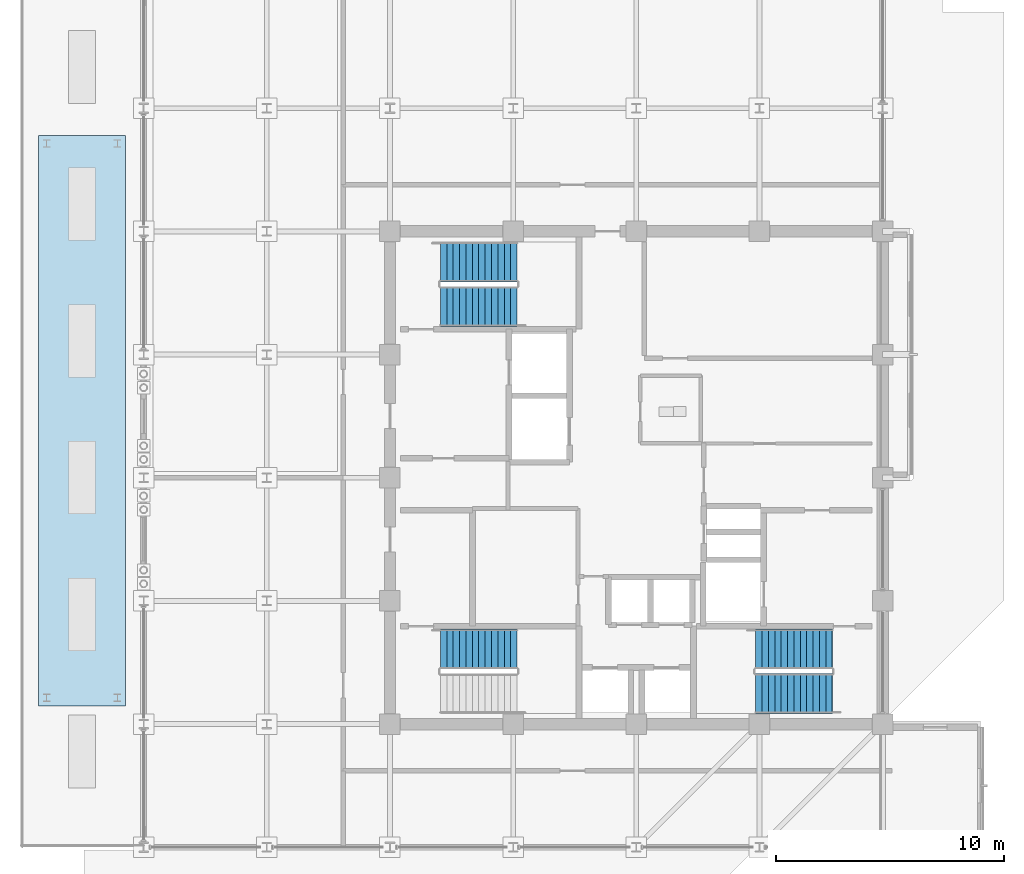
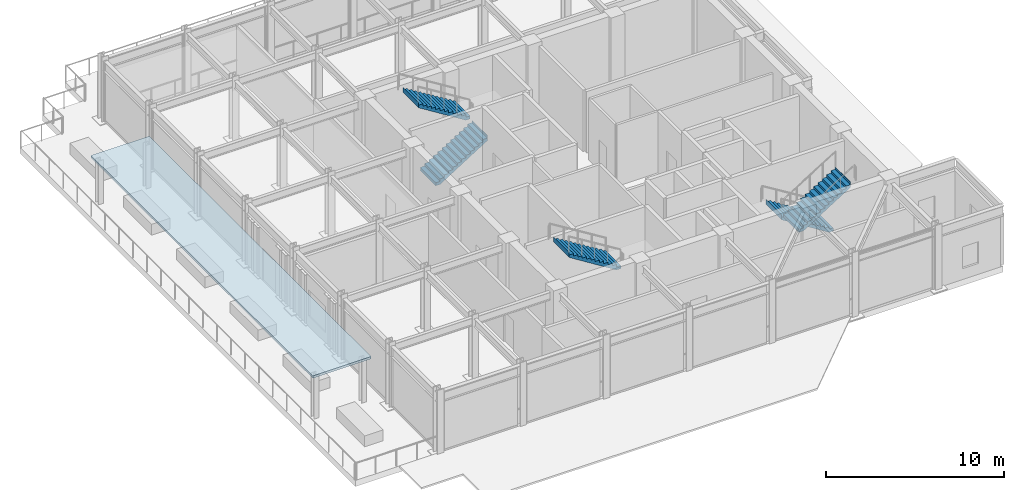
# One storey, part 16 of 22: 5 stair flights, 1 roof, 3 elements without a shape of their own.
"""IFC4 building model written with IfcOpenShell, lengths in metres."""

import ifcopenshell
import ifcopenshell.guid

model = None  # the IFC model being written
_history = None  # IfcOwnerHistory: only IFC2X3 demands one
_inside = {}  # id of a spatial element -> (the spatial element, [elements in it])
_under = {}  # id of a project, library or spatial element -> (it, [spatial elements below it])
_declared = {}  # id of a project -> (the project, [libraries it declares])
_typed = {}  # id of a type object -> (the type object, [elements of that type])
_made_of = {}  # id of a material, layer set ... -> (it, [elements and type objects made of it])


def new_model(schema):
    """Start an empty IFC model of exactly this schema.

    Asked for "IFC4X3", IfcOpenShell would pick the latest addendum, in which some entities
    have other attributes; the version numbers below select the first issue.
    IFC2X3 requires an IfcOwnerHistory on every rooted entity: one is made here for all.
    """
    global model, _history
    if schema == "IFC4X3":
        model = ifcopenshell.file(schema_version=(4, 3, 0, 0))
    else:
        model = ifcopenshell.file(schema=schema)
    _inside.clear()
    _under.clear()
    _declared.clear()
    _typed.clear()
    _made_of.clear()
    _history = None
    if model.schema == "IFC2X3":
        org = make("IfcOrganization", Name="unknown")
        user = make(
            "IfcPersonAndOrganization",
            ThePerson=make("IfcPerson", FamilyName="unknown"),
            TheOrganization=org,
        )
        app = make(
            "IfcApplication",
            ApplicationDeveloper=org,
            Version="unknown",
            ApplicationFullName="unknown",
            ApplicationIdentifier="unknown",
        )
        _history = make(
            "IfcOwnerHistory",
            OwningUser=user,
            OwningApplication=app,
            ChangeAction="ADDED",
            CreationDate=0,
        )
    return model


def make(cls, **values):
    """One entity of the class cls with the attributes given. An attribute that is None is left unset."""
    return model.create_entity(
        cls, **{name: value for name, value in values.items() if value is not None}
    )


def rooted(cls, **values):
    """An entity with a GlobalId (a new one), such as an element, a storey or a relation."""
    return make(cls, GlobalId=ifcopenshell.guid.new(), OwnerHistory=_history, **values)


def si_unit(unit_type, name, prefix=None):
    """IfcSIUnit, for example si_unit("LENGTHUNIT", "METRE", prefix="MILLI")."""
    return make("IfcSIUnit", UnitType=unit_type, Prefix=prefix, Name=name)


def assignment(units):
    """IfcUnitAssignment: the units of a project."""
    return None if units is None else make("IfcUnitAssignment", Units=units)


def point(xyz):
    """IfcCartesianPoint."""
    return None if xyz is None else make("IfcCartesianPoint", Coordinates=xyz)


def direction(xyz):
    """IfcDirection."""
    return None if xyz is None else make("IfcDirection", DirectionRatios=xyz)


def frame(location, z_axis=None, x_axis=None):
    """IfcAxis2Placement3D, a coordinate frame: its origin and axes. An axis left out is left unset."""
    return make(
        "IfcAxis2Placement3D",
        Location=point(location),
        Axis=direction(z_axis),
        RefDirection=direction(x_axis),
    )


def origin():
    """The frame at (0, 0, 0) with its axes left unset."""
    return frame((0.0, 0.0, 0.0))


def place(relative_to, where):
    """IfcLocalPlacement: puts the frame where relative to a parent placement (None: the world)."""
    return make(
        "IfcLocalPlacement", PlacementRelTo=relative_to, RelativePlacement=where
    )


def context(
    kind, dimensions, precision=None, world=None, true_north=None, identifier=None
):
    """IfcGeometricRepresentationContext, for example the 3D "Model" context."""
    return make(
        "IfcGeometricRepresentationContext",
        ContextIdentifier=identifier,
        ContextType=kind,
        CoordinateSpaceDimension=dimensions,
        Precision=precision,
        WorldCoordinateSystem=world,
        TrueNorth=true_north,
    )


def subcontext(parent, identifier, kind, view, scale=None):
    """IfcGeometricRepresentationSubContext, for example "Body" below "Model"."""
    return make(
        "IfcGeometricRepresentationSubContext",
        ContextIdentifier=identifier,
        ContextType=kind,
        ParentContext=parent,
        TargetScale=scale,
        TargetView=view,
    )


def project(units=None, contexts=None):
    """IfcProject with its units and contexts."""
    return rooted(
        "IfcProject",
        Name="project",
        RepresentationContexts=contexts,
        UnitsInContext=assignment(units),
    )


def spatial(cls, under=None, at=None, **own):
    """A site, building, storey or space (cls), placed at a placement, below another one or the project."""
    s = rooted(cls, ObjectPlacement=at, **own)
    if under is not None:
        _under.setdefault(under.id(), (under, []))[1].append(s)
    return s


def polyline(points):
    """IfcPolyline through the points."""
    return make("IfcPolyline", Points=[point(p) for p in points])


def outline(outer, holes=None, kind="AREA"):
    """IfcArbitraryClosedProfileDef: a profile drawn as a closed curve; with holes, ...WithVoids."""
    if holes is None:
        return make("IfcArbitraryClosedProfileDef", ProfileType=kind, OuterCurve=outer)
    return make(
        "IfcArbitraryProfileDefWithVoids",
        ProfileType=kind,
        OuterCurve=outer,
        InnerCurves=holes,
    )


def extrude(swept, where, along, depth):
    """IfcExtrudedAreaSolid: the profile swept, set in the frame where, extruded along a direction by depth."""
    return make(
        "IfcExtrudedAreaSolid",
        SweptArea=swept,
        Position=where,
        ExtrudedDirection=direction(along),
        Depth=depth,
    )


def shape(context_of_items, identifier, shape_type, items):
    """IfcShapeRepresentation: the items that make up one representation, for example the "Body"."""
    return make(
        "IfcShapeRepresentation",
        ContextOfItems=context_of_items,
        RepresentationIdentifier=identifier,
        RepresentationType=shape_type,
        Items=items,
    )


def material(Name=None, Category=None):
    """IfcMaterial."""
    return make("IfcMaterial", Name=Name, Category=Category)


def layer(
    of_material, thickness, ventilated=None, Name=None, Category=None, Priority=None
):
    """IfcMaterialLayer: one layer of a wall or slab, of a material (None: an air gap)."""
    return make(
        "IfcMaterialLayer",
        Material=of_material,
        LayerThickness=thickness,
        IsVentilated=ventilated,
        Name=Name,
        Category=Category,
        Priority=Priority,
    )


def layer_set(layers, Name=None):
    """IfcMaterialLayerSet."""
    return make("IfcMaterialLayerSet", MaterialLayers=layers, LayerSetName=Name)


def made_of(thing, what):
    """Note that an element or type object is made of a material, layer set ...; save() writes the relation."""
    if what is not None:
        _made_of.setdefault(what.id(), (what, []))[1].append(thing)
    return thing


def type_object(cls, material=None, **own):
    """A type object (cls), such as IfcWallType, which elements share."""
    return made_of(rooted(cls, **own), material)


def element(
    cls,
    number,
    at=None,
    inside=None,
    cuts=None,
    type_object=None,
    material=None,
    context=None,
    identifier="Body",
    shape_type=None,
    held_by="IfcProductDefinitionShape",
    body=None,
    shapes=None,
    **own,
):
    """One element of the class cls, such as IfcWall. Its Tag is "e" and its number.

    at: its placement. inside: the storey or other place that contains it. cuts: it is an
    opening in that element (IfcRelVoidsElement). A single representation is given by context,
    identifier, shape_type and body (its items); several are given by shapes. held_by: the class
    of the entity that holds the representations. save() writes the other relations.
    """
    e = rooted(cls, Tag="e%d" % number, ObjectPlacement=at, **own)
    if body is not None:
        shapes = [shape(context, identifier, shape_type, body)]
    if shapes is not None:
        e.Representation = make(held_by, Representations=shapes)
    if inside is not None:
        _inside.setdefault(inside.id(), (inside, []))[1].append(e)
    if cuts is not None:
        rooted(
            "IfcRelVoidsElement", RelatingBuildingElement=cuts, RelatedOpeningElement=e
        )
    if type_object is not None:
        _typed.setdefault(type_object.id(), (type_object, []))[1].append(e)
    return made_of(e, material)


def aggregate(whole, parts):
    """IfcRelAggregates: a whole, such as a stair, and the parts it consists of."""
    return rooted("IfcRelAggregates", RelatingObject=whole, RelatedObjects=parts)


def save(model, path):
    """Write the relations noted so far, then the file.

    IfcRelAggregates (storeys below a building ...), IfcRelContainedInSpatialStructure (elements
    in a storey), IfcRelDefinesByType, IfcRelAssociatesMaterial and IfcRelDeclares: one each for
    every whole, place, type object, material and project.
    """
    for whole, parts in _under.values():
        aggregate(whole, parts)
    for where, things in _inside.values():
        rooted(
            "IfcRelContainedInSpatialStructure",
            RelatedElements=things,
            RelatingStructure=where,
        )
    for kind, things in _typed.values():
        rooted("IfcRelDefinesByType", RelatedObjects=things, RelatingType=kind)
    for what, things in _made_of.values():
        rooted("IfcRelAssociatesMaterial", RelatedObjects=things, RelatingMaterial=what)
    for by, libraries in _declared.values():
        rooted("IfcRelDeclares", RelatingContext=by, RelatedDefinitions=libraries)
    model.write(path)


model = new_model("IFC4")

# Units and contexts
model_context = context("Model", 3, precision=1e-05, world=origin(), true_north=direction((0.0, 1.0)))
body_context = subcontext(model_context, "Body", "Model", "MODEL_VIEW")
ifc_project = project(units=[si_unit("LENGTHUNIT", "METRE"), si_unit("AREAUNIT", "SQUARE_METRE"), si_unit("VOLUMEUNIT", "CUBIC_METRE"), si_unit("PLANEANGLEUNIT", "RADIAN"), si_unit("MASSUNIT", "GRAM", prefix="KILO")], contexts=[model_context])

# Site, building, storey
site_placement = place(None, origin())
site = spatial("IfcSite", under=ifc_project, at=site_placement, CompositionType="ELEMENT")
building_placement = place(site_placement, origin())
building = spatial("IfcBuilding", under=site, at=building_placement, Name="Surkhivell Harbour Commons", CompositionType="ELEMENT")
storey_placement = place(building_placement, frame((0.0, 0.0, 337.5)))
storey = spatial("IfcBuildingStorey", under=building, at=storey_placement, Name="L88", CompositionType="ELEMENT", Elevation=337.5)

# Stair, stair flights
ifc_material_1 = material(Name="Precast concrete C45/55", Category="concrete")
stair_type = type_object("IfcStairType", Name="STR-DL-450", PredefinedType="HALF_TURN_STAIR", material=ifc_material_1)
stair_1_placement = place(storey_placement, origin())
stair_1 = element("IfcStair", 1, at=stair_1_placement, inside=storey, type_object=stair_type, Name="L88 Core Exit Stair ST1", PredefinedType="HALF_TURN_STAIR")
stair_flight_type = type_object("IfcStairFlightType", Name="STF-DL-450", PredefinedType="STRAIGHT", material=ifc_material_1)
stair_flight_1_placement = place(storey_placement, frame((-8.590087890625, 7.514892578125, 0.0), z_axis=(0.0, 0.0, 1.0), x_axis=(1.0, 0.0, 0.0)))
stair_flight_1 = element("IfcStairFlight", 2, at=stair_flight_1_placement, type_object=stair_flight_type, Name="ST1 flight 1", NumberOfRisers=13, NumberOfTreads=12, PredefinedType="STRAIGHT", RiserHeight=0.173076923, TreadLength=0.28, context=body_context, shape_type="SweptSolid", body=[
    extrude(outline(polyline([(-0.0029296875, -0.034912109375), (-0.0029296875, 0.0), (0.0, 0.0), (0.0, 0.173095703125), (0.280029296875, 0.173095703125), (0.280029296875, 0.34619140625), (0.56005859375, 0.34619140625), (0.56005859375, 0.519287109375), (0.840087890625, 0.519287109375), (0.840087890625, 0.6923828125), (1.1201171875, 0.6923828125), (1.1201171875, 0.865478515625), (1.39990234375, 0.865478515625), (1.39990234375, 1.03857421875), (1.679931640625, 1.03857421875), (1.679931640625, 1.21142578125), (1.9599609375, 1.21142578125), (1.9599609375, 1.384521484375), (2.239990234375, 1.384521484375), (2.239990234375, 1.5576171875), (2.52001953125, 1.5576171875), (2.52001953125, 1.730712890625), (2.800048828125, 1.730712890625), (2.800048828125, 1.90380859375), (3.080078125, 1.90380859375), (3.080078125, 2.076904296875), (3.360107421875, 2.076904296875), (3.360107421875, 2.25), (3.363037109375, 2.25), (3.363037109375, 1.900634765625), (0.28515625, -0.034912109375), (-0.0029296875, -0.034912109375)])), frame((0.0, 0.875, 0.0), z_axis=(0.0, -1.0, 0.0), x_axis=(1.0, 0.0, 0.0)), (0.0, 0.0, 1.0), 1.75),
])
stair_flight_2_placement = place(storey_placement, frame((-5.22998046875, 9.465087890625, 2.25), z_axis=(0.0, 0.0, 1.0), x_axis=(-1.0, 0.0, 0.0)))
stair_flight_2 = element("IfcStairFlight", 3, at=stair_flight_2_placement, type_object=stair_flight_type, Name="ST1 flight 2", NumberOfRisers=13, NumberOfTreads=12, PredefinedType="STRAIGHT", RiserHeight=0.173076923, TreadLength=0.28, context=body_context, shape_type="SweptSolid", body=[
    extrude(outline(polyline([(-0.0029296875, -0.034912109375), (-0.0029296875, 0.0), (0.0, 0.0), (0.0, 0.173095703125), (0.280029296875, 0.173095703125), (0.280029296875, 0.34619140625), (0.56005859375, 0.34619140625), (0.56005859375, 0.519287109375), (0.840087890625, 0.519287109375), (0.840087890625, 0.6923828125), (1.1201171875, 0.6923828125), (1.1201171875, 0.865478515625), (1.39990234375, 0.865478515625), (1.39990234375, 1.03857421875), (1.679931640625, 1.03857421875), (1.679931640625, 1.21142578125), (1.9599609375, 1.21142578125), (1.9599609375, 1.384521484375), (2.239990234375, 1.384521484375), (2.239990234375, 1.5576171875), (2.52001953125, 1.5576171875), (2.52001953125, 1.730712890625), (2.800048828125, 1.730712890625), (2.800048828125, 1.90380859375), (3.080078125, 1.90380859375), (3.080078125, 2.076904296875), (3.360107421875, 2.076904296875), (3.360107421875, 2.25), (3.363037109375, 2.25), (3.363037109375, 1.900634765625), (0.28515625, -0.034912109375), (-0.0029296875, -0.034912109375)])), frame((0.0, 0.875, 0.0), z_axis=(0.0, -1.0, 0.0), x_axis=(1.0, 0.0, 0.0)), (0.0, 0.0, 1.0), 1.75),
])
aggregate(stair_1, [stair_flight_1, stair_flight_2])

stair_2_placement = place(storey_placement, origin())
stair_2 = element("IfcStair", 4, at=stair_2_placement, inside=storey, type_object=stair_type, Name="L88 Core Exit Stair ST2", PredefinedType="HALF_TURN_STAIR")
stair_flight_3_placement = place(storey_placement, frame((8.590087890625, -7.514892578125, 0.0), z_axis=(0.0, 0.0, 1.0), x_axis=(-1.0, 0.0, 0.0)))
stair_flight_3 = element("IfcStairFlight", 5, at=stair_flight_3_placement, type_object=stair_flight_type, Name="ST2 flight 1", NumberOfRisers=13, NumberOfTreads=12, PredefinedType="STRAIGHT", RiserHeight=0.173076923, TreadLength=0.28, context=body_context, shape_type="SweptSolid", body=[
    extrude(outline(polyline([(-0.0029296875, -0.034912109375), (-0.0029296875, 0.0), (0.0, 0.0), (0.0, 0.173095703125), (0.280029296875, 0.173095703125), (0.280029296875, 0.34619140625), (0.56005859375, 0.34619140625), (0.56005859375, 0.519287109375), (0.840087890625, 0.519287109375), (0.840087890625, 0.6923828125), (1.1201171875, 0.6923828125), (1.1201171875, 0.865478515625), (1.39990234375, 0.865478515625), (1.39990234375, 1.03857421875), (1.679931640625, 1.03857421875), (1.679931640625, 1.21142578125), (1.9599609375, 1.21142578125), (1.9599609375, 1.384521484375), (2.239990234375, 1.384521484375), (2.239990234375, 1.5576171875), (2.52001953125, 1.5576171875), (2.52001953125, 1.730712890625), (2.800048828125, 1.730712890625), (2.800048828125, 1.90380859375), (3.080078125, 1.90380859375), (3.080078125, 2.076904296875), (3.360107421875, 2.076904296875), (3.360107421875, 2.25), (3.363037109375, 2.25), (3.363037109375, 1.900634765625), (0.28515625, -0.034912109375), (-0.0029296875, -0.034912109375)])), frame((0.0, 0.875, 0.0), z_axis=(0.0, -1.0, 0.0), x_axis=(1.0, 0.0, 0.0)), (0.0, 0.0, 1.0), 1.75),
])
stair_flight_4_placement = place(storey_placement, frame((5.22998046875, -9.465087890625, 2.25), z_axis=(0.0, 0.0, 1.0), x_axis=(1.0, 0.0, 0.0)))
stair_flight_4 = element("IfcStairFlight", 6, at=stair_flight_4_placement, type_object=stair_flight_type, Name="ST2 flight 2", NumberOfRisers=13, NumberOfTreads=12, PredefinedType="STRAIGHT", RiserHeight=0.173076923, TreadLength=0.28, context=body_context, shape_type="SweptSolid", body=[
    extrude(outline(polyline([(-0.0029296875, -0.034912109375), (-0.0029296875, 0.0), (0.0, 0.0), (0.0, 0.173095703125), (0.280029296875, 0.173095703125), (0.280029296875, 0.34619140625), (0.56005859375, 0.34619140625), (0.56005859375, 0.519287109375), (0.840087890625, 0.519287109375), (0.840087890625, 0.6923828125), (1.1201171875, 0.6923828125), (1.1201171875, 0.865478515625), (1.39990234375, 0.865478515625), (1.39990234375, 1.03857421875), (1.679931640625, 1.03857421875), (1.679931640625, 1.21142578125), (1.9599609375, 1.21142578125), (1.9599609375, 1.384521484375), (2.239990234375, 1.384521484375), (2.239990234375, 1.5576171875), (2.52001953125, 1.5576171875), (2.52001953125, 1.730712890625), (2.800048828125, 1.730712890625), (2.800048828125, 1.90380859375), (3.080078125, 1.90380859375), (3.080078125, 2.076904296875), (3.360107421875, 2.076904296875), (3.360107421875, 2.25), (3.363037109375, 2.25), (3.363037109375, 1.900634765625), (0.28515625, -0.034912109375), (-0.0029296875, -0.034912109375)])), frame((0.0, 0.875, 0.0), z_axis=(0.0, -1.0, 0.0), x_axis=(1.0, 0.0, 0.0)), (0.0, 0.0, 1.0), 1.75),
])
aggregate(stair_2, [stair_flight_3, stair_flight_4])

# Stair, stair flight
stair_3_placement = place(storey_placement, origin())
stair_3 = element("IfcStair", 7, at=stair_3_placement, inside=storey, type_object=stair_type, Name="L88 Core Exit Stair ST3", PredefinedType="HALF_TURN_STAIR")
stair_flight_5_placement = place(storey_placement, frame((-5.22998046875, -7.514892578125, 2.25), z_axis=(0.0, 0.0, 1.0), x_axis=(-1.0, 0.0, 0.0)))
stair_flight_5 = element("IfcStairFlight", 8, at=stair_flight_5_placement, type_object=stair_flight_type, Name="ST3 flight 2", NumberOfRisers=13, NumberOfTreads=12, PredefinedType="STRAIGHT", RiserHeight=0.173076923, TreadLength=0.28, context=body_context, shape_type="SweptSolid", body=[
    extrude(outline(polyline([(-0.0029296875, -0.034912109375), (-0.0029296875, 0.0), (0.0, 0.0), (0.0, 0.173095703125), (0.280029296875, 0.173095703125), (0.280029296875, 0.34619140625), (0.56005859375, 0.34619140625), (0.56005859375, 0.519287109375), (0.840087890625, 0.519287109375), (0.840087890625, 0.6923828125), (1.1201171875, 0.6923828125), (1.1201171875, 0.865478515625), (1.39990234375, 0.865478515625), (1.39990234375, 1.03857421875), (1.679931640625, 1.03857421875), (1.679931640625, 1.21142578125), (1.9599609375, 1.21142578125), (1.9599609375, 1.384521484375), (2.239990234375, 1.384521484375), (2.239990234375, 1.5576171875), (2.52001953125, 1.5576171875), (2.52001953125, 1.730712890625), (2.800048828125, 1.730712890625), (2.800048828125, 1.90380859375), (3.080078125, 1.90380859375), (3.080078125, 2.076904296875), (3.360107421875, 2.076904296875), (3.360107421875, 2.25), (3.363037109375, 2.25), (3.363037109375, 1.900634765625), (0.28515625, -0.034912109375), (-0.0029296875, -0.034912109375)])), frame((0.0, 0.875, 0.0), z_axis=(0.0, -1.0, 0.0), x_axis=(1.0, 0.0, 0.0)), (0.0, 0.0, 1.0), 1.75),
])
aggregate(stair_3, [stair_flight_5])

# Roof
ifc_material_2 = material(Name="Pale-metal aluminium and laminated canopy glass", Category="aluminium")
ifc_layer = layer(ifc_material_2, 0.159912109375)
ifc_layer_set = layer_set([ifc_layer], Name="Pale-metal aluminium and laminated canopy glass")
roof_type = type_object("IfcRoofType", Name="ROF-CAN-GLZ", PredefinedType="PAVILION_ROOF", material=ifc_layer_set)
roof_placement = place(storey_placement, frame((0.0, 0.0, 2.989990234375)))
element("IfcRoof", 9, at=roof_placement, inside=storey, type_object=roof_type, Name="L88 Glazed Pale-Metal Canopy CAN-CRN", PredefinedType="PAVILION_ROOF", context=body_context, shape_type="SweptSolid", body=[
    extrude(outline(polyline([(-26.199951171875, -10.0), (-22.39990234375, -10.0), (-22.39990234375, 15.0), (-26.199951171875, 15.0), (-26.199951171875, -10.0)])), origin(), (0.0, 0.0, 1.0), 0.159912109375),
])

save(model, "model.ifc")
